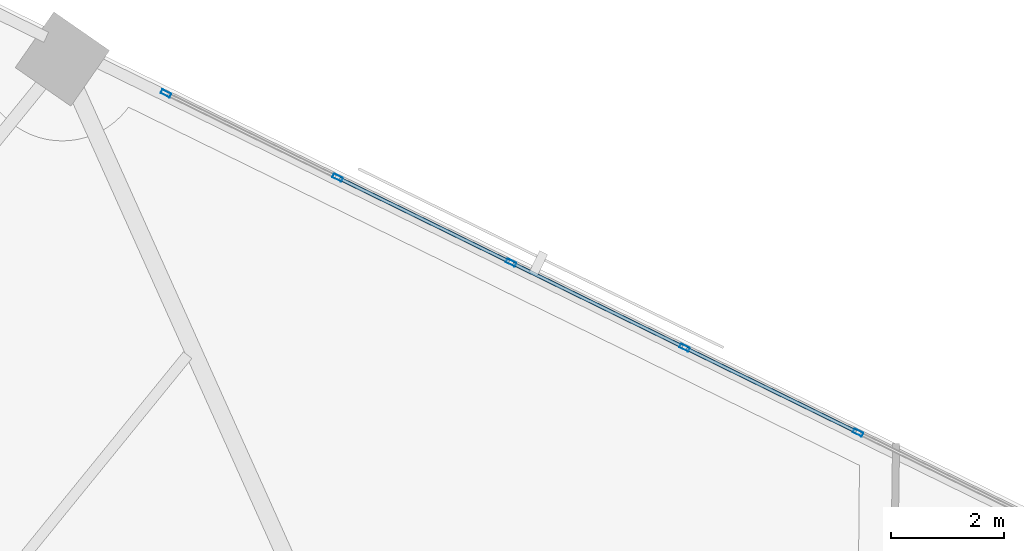
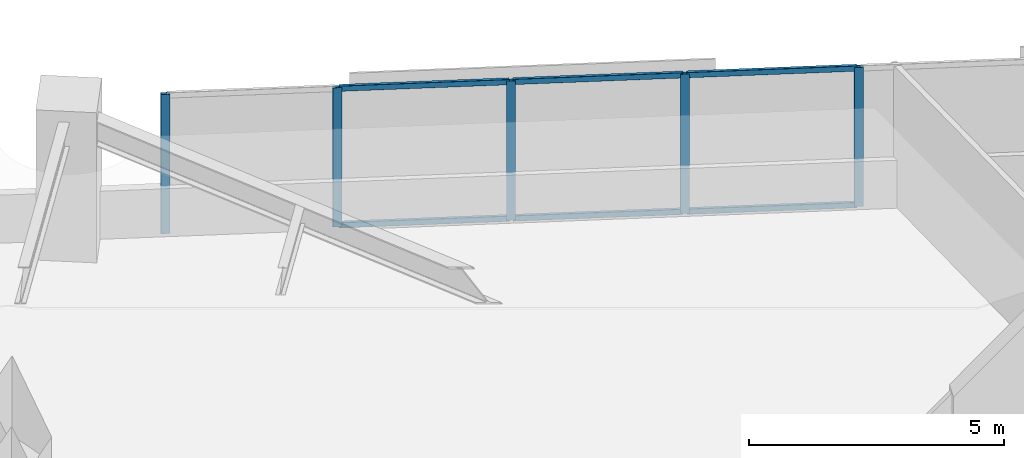
# One storey, part 10 of 19: 11 members, 1 element without a shape of its own.
"""IFC4 building model written with IfcOpenShell, lengths in metres."""

from ifc_helpers import new_model, si_unit, direction, frame, origin, origin_2d, place, context, subcontext, project, spatial, hollow_rectangle, extrude, material, material_profile, profile_set, type_object, element, aggregate, save


model = new_model("IFC4")

# Units and contexts
model_context = context("Model", 3, precision=1e-05, world=origin(), true_north=direction((0.0, 1.0)))
body_context = subcontext(model_context, "Body", "Model", "MODEL_VIEW")
ifc_project = project(units=[si_unit("LENGTHUNIT", "METRE"), si_unit("AREAUNIT", "SQUARE_METRE"), si_unit("VOLUMEUNIT", "CUBIC_METRE"), si_unit("PLANEANGLEUNIT", "RADIAN"), si_unit("MASSUNIT", "GRAM", prefix="KILO")], contexts=[model_context])

# Site, building, storey
site_placement = place(None, origin())
site = spatial("IfcSite", under=ifc_project, at=site_placement, CompositionType="ELEMENT")
building_placement = place(site_placement, origin())
building = spatial("IfcBuilding", under=site, at=building_placement, Name="Narakoshi Arena Tower", CompositionType="ELEMENT")
storey_placement = place(building_placement, frame((0.0, 0.0, 117.300048828125)))
storey = spatial("IfcBuildingStorey", under=building, at=storey_placement, Name="L31", CompositionType="ELEMENT", Elevation=117.300048828125)

# Curtain wall, members
ifc_material = material(Name="Anodised bronze aluminium 6063-T6", Category="aluminium")
curtain_wall_type = type_object("IfcCurtainWallType", Name="CW-HYP-LOW", PredefinedType="NOTDEFINED", material=ifc_material)
curtain_wall_placement = place(storey_placement, origin())
curtain_wall = element("IfcCurtainWall", 1, at=curtain_wall_placement, inside=storey, type_object=curtain_wall_type, Name="L31 Folded Hypotenuse Curtain Wall 2-1", PredefinedType="NOTDEFINED")
ifc_material_profile_1 = material_profile(ifc_material, hollow_rectangle(XDim=0.074951171875, YDim=0.179931640625, WallThickness=0.00390625, OuterFilletRadius=0.0048828125, at=origin_2d()), Name="MUL180x75x4")
ifc_profile_set_1 = profile_set([ifc_material_profile_1], Name="Anodised bronze aluminium 6063-T6")
member_type_1 = type_object("IfcMemberType", Name="MEM-MUL-180", PredefinedType="MULLION", material=ifc_profile_set_1)
member_1_placement = place(storey_placement, frame((78.41259765625, 67.01611328125, 0.0), z_axis=(0.0, 0.0, 1.0), x_axis=(-0.440004510198, -0.89799556291, 0.0)))
member_1 = element("IfcMember", 2, at=member_1_placement, type_object=member_type_1, Name="CW-01 mullion 4", PredefinedType="MULLION", context=body_context, shape_type="SweptSolid", body=[
    extrude(hollow_rectangle(XDim=0.074951171875, YDim=0.179931640625, WallThickness=0.00390625, OuterFilletRadius=0.0048828125, at=origin_2d()), origin(), (0.0, 0.0, 1.0), 3.33984375),
])
member_2_placement = place(storey_placement, frame((75.33935546875, 68.52197265625, 0.0), z_axis=(0.0, 0.0, 1.0), x_axis=(-0.440004510198, -0.89799556291, 0.0)))
member_2 = element("IfcMember", 3, at=member_2_placement, type_object=member_type_1, Name="CW-01 mullion 5", PredefinedType="MULLION", context=body_context, shape_type="SweptSolid", body=[
    extrude(hollow_rectangle(XDim=0.074951171875, YDim=0.179931640625, WallThickness=0.00390625, OuterFilletRadius=0.0048828125, at=origin_2d()), origin(), (0.0, 0.0, 1.0), 3.33984375),
])
member_3_placement = place(storey_placement, frame((72.26611328125, 70.028076171875, 0.0), z_axis=(0.0, 0.0, 1.0), x_axis=(-0.440004510198, -0.89799556291, 0.0)))
member_3 = element("IfcMember", 4, at=member_3_placement, type_object=member_type_1, Name="CW-01 mullion 6", PredefinedType="MULLION", context=body_context, shape_type="SweptSolid", body=[
    extrude(hollow_rectangle(XDim=0.074951171875, YDim=0.179931640625, WallThickness=0.00390625, OuterFilletRadius=0.0048828125, at=origin_2d()), origin(), (0.0, 0.0, 1.0), 3.33984375),
])
member_4_placement = place(storey_placement, frame((69.19287109375, 71.533935546875, 0.0), z_axis=(0.0, 0.0, 1.0), x_axis=(-0.440004510198, -0.89799556291, 0.0)))
member_4 = element("IfcMember", 5, at=member_4_placement, type_object=member_type_1, Name="CW-01 mullion 7", PredefinedType="MULLION", context=body_context, shape_type="SweptSolid", body=[
    extrude(hollow_rectangle(XDim=0.074951171875, YDim=0.179931640625, WallThickness=0.00390625, OuterFilletRadius=0.0048828125, at=origin_2d()), origin(), (0.0, 0.0, 1.0), 3.33984375),
])
member_5_placement = place(storey_placement, frame((66.153076171875, 73.023193359375, 0.0), z_axis=(0.0, 0.0, 1.0), x_axis=(-0.440004510198, -0.89799556291, 0.0)))
member_5 = element("IfcMember", 6, at=member_5_placement, type_object=member_type_1, Name="CW-01 mullion 8", PredefinedType="MULLION", context=body_context, shape_type="SweptSolid", body=[
    extrude(hollow_rectangle(XDim=0.074951171875, YDim=0.179931640625, WallThickness=0.00390625, OuterFilletRadius=0.0048828125, at=origin_2d()), origin(), (0.0, 0.0, 1.0), 3.33984375),
])
ifc_material_profile_2 = material_profile(ifc_material, hollow_rectangle(XDim=0.06494140625, YDim=0.1298828125, WallThickness=0.00390625, OuterFilletRadius=0.0048828125, at=origin_2d()), Name="TRN130x65x4")
ifc_profile_set_2 = profile_set([ifc_material_profile_2], Name="Anodised bronze aluminium 6063-T6")
member_type_2 = type_object("IfcMemberType", Name="MEM-TRN-130", PredefinedType="USERDEFINED", material=ifc_profile_set_2)
member_6_placement = place(storey_placement, frame((78.37890625, 67.03271484375, 0.032470703125), z_axis=(-0.897986843255, 0.440022305503, 0.0), x_axis=(-0.440022305503, -0.897986843255, 0.0)))
member_6 = element("IfcMember", 7, at=member_6_placement, type_object=member_type_2, Name="CW-01 transom 4.1", ObjectType="TRANSOM", PredefinedType="USERDEFINED", context=body_context, shape_type="SweptSolid", body=[
    extrude(hollow_rectangle(XDim=0.06494140625, YDim=0.1298828125, WallThickness=0.00390625, OuterFilletRadius=0.0048828125, at=origin_2d()), origin(), (0.0, 0.0, 1.0), 3.347412109375),
])
member_7_placement = place(storey_placement, frame((78.37890625, 67.03271484375, 3.307373046875), z_axis=(-0.897986843255, 0.440022305503, 0.0), x_axis=(-0.440022305503, -0.897986843255, 0.0)))
member_7 = element("IfcMember", 8, at=member_7_placement, type_object=member_type_2, Name="CW-01 transom 4.2", ObjectType="TRANSOM", PredefinedType="USERDEFINED", context=body_context, shape_type="SweptSolid", body=[
    extrude(hollow_rectangle(XDim=0.06494140625, YDim=0.1298828125, WallThickness=0.00390625, OuterFilletRadius=0.0048828125, at=origin_2d()), origin(), (0.0, 0.0, 1.0), 3.347412109375),
])
member_8_placement = place(storey_placement, frame((75.3056640625, 68.53857421875, 0.032470703125), z_axis=(-0.897986843255, 0.440022305503, 0.0), x_axis=(-0.440022305503, -0.897986843255, 0.0)))
member_8 = element("IfcMember", 9, at=member_8_placement, type_object=member_type_2, Name="CW-01 transom 5.1", ObjectType="TRANSOM", PredefinedType="USERDEFINED", context=body_context, shape_type="SweptSolid", body=[
    extrude(hollow_rectangle(XDim=0.06494140625, YDim=0.1298828125, WallThickness=0.00390625, OuterFilletRadius=0.0048828125, at=origin_2d()), origin(), (0.0, 0.0, 1.0), 3.347412109375),
])
member_9_placement = place(storey_placement, frame((75.3056640625, 68.53857421875, 3.307373046875), z_axis=(-0.897986843255, 0.440022305503, 0.0), x_axis=(-0.440022305503, -0.897986843255, 0.0)))
member_9 = element("IfcMember", 10, at=member_9_placement, type_object=member_type_2, Name="CW-01 transom 5.2", ObjectType="TRANSOM", PredefinedType="USERDEFINED", context=body_context, shape_type="SweptSolid", body=[
    extrude(hollow_rectangle(XDim=0.06494140625, YDim=0.1298828125, WallThickness=0.00390625, OuterFilletRadius=0.0048828125, at=origin_2d()), origin(), (0.0, 0.0, 1.0), 3.347412109375),
])
member_10_placement = place(storey_placement, frame((72.232421875, 70.04443359375, 0.032470703125), z_axis=(-0.897986843255, 0.440022305503, 0.0), x_axis=(-0.440022305503, -0.897986843255, 0.0)))
member_10 = element("IfcMember", 11, at=member_10_placement, type_object=member_type_2, Name="CW-01 transom 6.1", ObjectType="TRANSOM", PredefinedType="USERDEFINED", context=body_context, shape_type="SweptSolid", body=[
    extrude(hollow_rectangle(XDim=0.06494140625, YDim=0.1298828125, WallThickness=0.00390625, OuterFilletRadius=0.0048828125, at=origin_2d()), origin(), (0.0, 0.0, 1.0), 3.347412109375),
])
member_11_placement = place(storey_placement, frame((72.232421875, 70.04443359375, 3.307373046875), z_axis=(-0.897986843255, 0.440022305503, 0.0), x_axis=(-0.440022305503, -0.897986843255, 0.0)))
member_11 = element("IfcMember", 12, at=member_11_placement, type_object=member_type_2, Name="CW-01 transom 6.2", ObjectType="TRANSOM", PredefinedType="USERDEFINED", context=body_context, shape_type="SweptSolid", body=[
    extrude(hollow_rectangle(XDim=0.06494140625, YDim=0.1298828125, WallThickness=0.00390625, OuterFilletRadius=0.0048828125, at=origin_2d()), origin(), (0.0, 0.0, 1.0), 3.347412109375),
])
aggregate(curtain_wall, [member_1, member_2, member_3, member_4, member_5, member_6, member_7, member_8, member_9, member_10, member_11])

save(model, "model.ifc")
